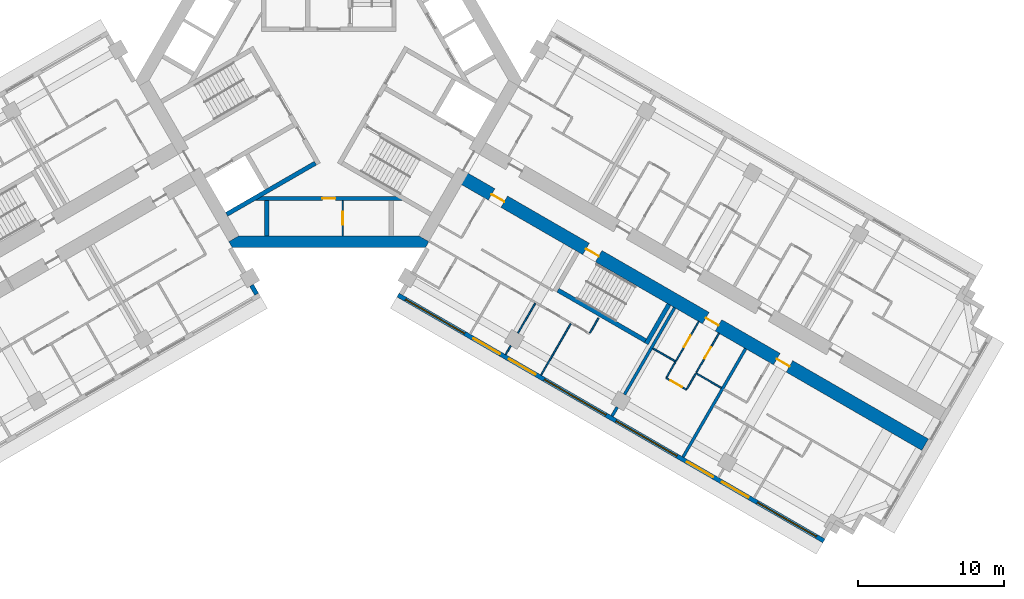
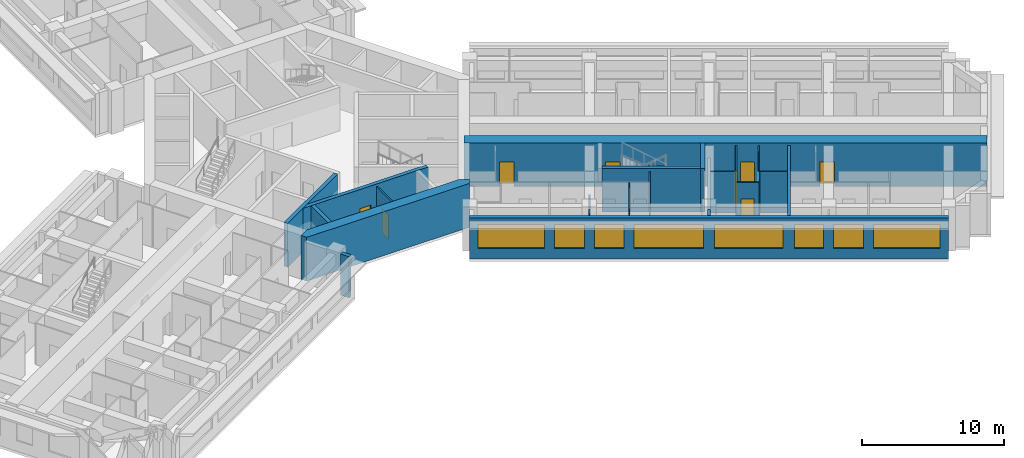
# One storey, part 5 of 14: 24 walls, 9 doors, 8 windows, 17 openings.
"""IFC4 building model written with IfcOpenShell, lengths in metres."""

from ifc_helpers import new_model, si_unit, direction, frame, frame_2d, origin, place, context, subcontext, project, spatial, polyline, rectangle, outline, extrude, material, layer, layer_set, type_object, element, fill, save


model = new_model("IFC4")

# Units and contexts
model_context = context("Model", 3, precision=1e-05, world=origin(), true_north=direction((0.0, 1.0)))
body_context = subcontext(model_context, "Body", "Model", "MODEL_VIEW")
ifc_project = project(units=[si_unit("LENGTHUNIT", "METRE"), si_unit("AREAUNIT", "SQUARE_METRE"), si_unit("VOLUMEUNIT", "CUBIC_METRE"), si_unit("PLANEANGLEUNIT", "RADIAN"), si_unit("MASSUNIT", "GRAM", prefix="KILO")], contexts=[model_context])

# Site, building, storey
site_placement = place(None, origin())
site = spatial("IfcSite", under=ifc_project, at=site_placement, CompositionType="ELEMENT")
building_placement = place(site_placement, origin())
building = spatial("IfcBuilding", under=site, at=building_placement, Name="Impinga Residences", CompositionType="ELEMENT")
storey_placement = place(building_placement, frame((0.0, 0.0, 143.5)))
storey = spatial("IfcBuildingStorey", under=building, at=storey_placement, Name="L35", CompositionType="ELEMENT", Elevation=143.5)

# Wall, openings, doors
ifc_material_1 = material(Name="Concrete C60/75", Category="concrete")
ifc_layer_1 = layer(ifc_material_1, 0.89990234375)
ifc_layer_set_1 = layer_set([ifc_layer_1], Name="Concrete C60/75")
wall_type_1 = type_object("IfcWallType", Name="BW2 corridor buttress wall, L24 to L44 900", PredefinedType="SHEAR", material=ifc_layer_set_1)
wall_1_placement = place(storey_placement, frame((8.95361328125, -6.554931640625, 0.0), z_axis=(0.0, 0.0, 1.0), x_axis=(0.866024733898, -0.500001160275, 0.0)))
wall_1 = element("IfcWall", 1, at=wall_1_placement, inside=storey, type_object=wall_type_1, Name="Corridor wall BW2 ED L35", PredefinedType="SHEAR", context=body_context, shape_type="SweptSolid", body=[
    extrude(rectangle(XDim=36.7001953125, YDim=0.89990234375, at=frame_2d((18.35009765625, 0.0))), origin(), (0.0, 0.0, 1.0), 3.75),
])
opening_1_placement = place(wall_1_placement, frame((9.949951171875, 0.0, 0.0)))
opening_1 = element("IfcOpeningElement", 2, at=opening_1_placement, cuts=wall_1, Name="Opening D5", PredefinedType="OPENING", context=body_context, shape_type="SweptSolid", body=[
    extrude(rectangle(XDim=1.0, YDim=2.10009765625, at=frame_2d((0.5, 1.050048828125))), frame((0.0, 0.4599609375, 0.0), z_axis=(0.0, -1.0, 0.0), x_axis=(1.0, 0.0, 0.0)), (0.0, 0.0, 1.0), 0.919921875),
])
opening_2_placement = place(wall_1_placement, frame((2.5, 0.0, 0.0)))
opening_2 = element("IfcOpeningElement", 3, at=opening_2_placement, cuts=wall_1, Name="Opening D1", PredefinedType="OPENING", context=body_context, shape_type="SweptSolid", body=[
    extrude(rectangle(XDim=1.0, YDim=2.10009765625, at=frame_2d((0.5, 1.050048828125))), frame((0.0, 0.4599609375, 0.0), z_axis=(0.0, -1.0, 0.0), x_axis=(1.0, 0.0, 0.0)), (0.0, 0.0, 1.0), 0.919921875),
])
opening_3_placement = place(wall_1_placement, frame((19.39990234375, 0.0, 0.0)))
opening_3 = element("IfcOpeningElement", 4, at=opening_3_placement, cuts=wall_1, Name="Opening D1", PredefinedType="OPENING", context=body_context, shape_type="SweptSolid", body=[
    extrude(rectangle(XDim=1.0, YDim=2.10009765625, at=frame_2d((0.5, 1.050048828125))), frame((0.0, 0.4599609375, 0.0), z_axis=(0.0, -1.0, 0.0), x_axis=(1.0, 0.0, 0.0)), (0.0, 0.0, 1.0), 0.919921875),
])
opening_4_placement = place(wall_1_placement, frame((25.0, 0.0, 0.0)))
opening_4 = element("IfcOpeningElement", 5, at=opening_4_placement, cuts=wall_1, Name="Opening D1", PredefinedType="OPENING", context=body_context, shape_type="SweptSolid", body=[
    extrude(rectangle(XDim=1.0, YDim=2.10009765625, at=frame_2d((0.5, 1.050048828125))), frame((0.0, 0.4599609375, 0.0), z_axis=(0.0, -1.0, 0.0), x_axis=(1.0, 0.0, 0.0)), (0.0, 0.0, 1.0), 0.919921875),
])
ifc_material_2 = material(Name="Timber door set", Category="wood")
door_type_1 = type_object("IfcDoorType", Name="D1 apartment entrance door 1000x2100", OperationType="SINGLE_SWING_LEFT", PredefinedType="DOOR", material=ifc_material_2)
door_1_placement = place(opening_2_placement, origin())
door_1 = element("IfcDoor", 6, at=door_1_placement, inside=storey, type_object=door_type_1, Name="Apartment L35-EF1 entrance", OperationType="SINGLE_SWING_LEFT", OverallHeight=2.10009765625, OverallWidth=1.0, PredefinedType="DOOR", context=body_context, shape_type="SweptSolid", body=[
    extrude(rectangle(XDim=1.0, YDim=2.10009765625, at=frame_2d((0.5, 1.050048828125))), frame((0.0, 0.02490234375, 0.0), z_axis=(0.0, -1.0, 0.0), x_axis=(1.0, 0.0, 0.0)), (0.0, 0.0, 1.0), 0.050048828125),
])
fill(opening_2, door_1)
door_2_placement = place(opening_3_placement, origin())
door_2 = element("IfcDoor", 7, at=door_2_placement, inside=storey, type_object=door_type_1, Name="Apartment L35-EF2 entrance", OperationType="SINGLE_SWING_RIGHT", OverallHeight=2.10009765625, OverallWidth=1.0, PredefinedType="DOOR", context=body_context, shape_type="SweptSolid", body=[
    extrude(rectangle(XDim=1.0, YDim=2.10009765625, at=frame_2d((0.5, 1.050048828125))), frame((0.0, 0.02490234375, 0.0), z_axis=(0.0, -1.0, 0.0), x_axis=(1.0, 0.0, 0.0)), (0.0, 0.0, 1.0), 0.050048828125),
])
fill(opening_3, door_2)
door_3_placement = place(opening_4_placement, origin())
door_3 = element("IfcDoor", 8, at=door_3_placement, inside=storey, type_object=door_type_1, Name="Apartment L35-EF3 entrance", OperationType="SINGLE_SWING_RIGHT", OverallHeight=2.10009765625, OverallWidth=1.0, PredefinedType="DOOR", context=body_context, shape_type="SweptSolid", body=[
    extrude(rectangle(XDim=1.0, YDim=2.10009765625, at=frame_2d((0.5, 1.050048828125))), frame((0.0, 0.02490234375, 0.0), z_axis=(0.0, -1.0, 0.0), x_axis=(1.0, 0.0, 0.0)), (0.0, 0.0, 1.0), 0.050048828125),
])
fill(opening_4, door_3)
door_type_2 = type_object("IfcDoorType", Name="D5 stair door 1000x2100", OperationType="SINGLE_SWING_LEFT", PredefinedType="DOOR", material=ifc_material_2)
door_4_placement = place(opening_1_placement, origin())
door_4 = element("IfcDoor", 9, at=door_4_placement, inside=storey, type_object=door_type_2, Name="Wing stair door E", OperationType="SINGLE_SWING_LEFT", OverallHeight=2.10009765625, OverallWidth=1.0, PredefinedType="DOOR", context=body_context, shape_type="SweptSolid", body=[
    extrude(rectangle(XDim=1.0, YDim=2.10009765625, at=frame_2d((0.5, 1.050048828125))), frame((0.0, 0.02490234375, 0.0), z_axis=(0.0, -1.0, 0.0), x_axis=(1.0, 0.0, 0.0)), (0.0, 0.0, 1.0), 0.050048828125),
])
fill(opening_1, door_4)

# Wall, opening, door
ifc_material_3 = material(Name="Concrete blockwork", Category="masonry")
ifc_layer_2 = layer(ifc_material_3, 0.10009765625)
ifc_layer_set_2 = layer_set([ifc_layer_2], Name="CP1 core room partition, blockwork 100")
wall_type_2 = type_object("IfcWallType", Name="CP1 core room partition, blockwork 100", PredefinedType="PARTITIONING", material=ifc_layer_set_2)
wall_2_placement = place(storey_placement, frame((0.949951171875, -8.2314453125, 0.0), z_axis=(0.0, 0.0, 1.0), x_axis=(0.0, -1.0, 0.0)))
wall_2 = element("IfcWall", 10, at=wall_2_placement, inside=storey, type_object=wall_type_2, Name="Core room partition, blockwork L35:CORE:low:ZP1", PredefinedType="PARTITIONING", context=body_context, shape_type="SweptSolid", body=[
    extrude(rectangle(XDim=2.400146484375, YDim=0.10009765625, at=frame_2d((1.2001953125, 0.0))), origin(), (0.0, 0.0, 1.0), 3.530029296875),
])
opening_5_placement = place(wall_2_placement, frame((0.75, 0.0, 0.0)))
opening_5 = element("IfcOpeningElement", 11, at=opening_5_placement, cuts=wall_2, Name="Opening D6", PredefinedType="OPENING", context=body_context, shape_type="SweptSolid", body=[
    extrude(rectangle(XDim=0.89990234375, YDim=2.10009765625, at=frame_2d((0.449951171875, 1.050048828125))), frame((0.0, 0.06005859375, 0.0), z_axis=(0.0, -1.0, 0.0), x_axis=(1.0, 0.0, 0.0)), (0.0, 0.0, 1.0), 0.1201171875),
])
door_type_3 = type_object("IfcDoorType", Name="D6 riser and store door 900x2100", OperationType="SINGLE_SWING_LEFT", PredefinedType="DOOR", material=ifc_material_2)
door_5_placement = place(opening_5_placement, origin())
door_5 = element("IfcDoor", 12, at=door_5_placement, inside=storey, type_object=door_type_3, Name="Cleaners' store door", OperationType="SINGLE_SWING_LEFT", OverallHeight=2.10009765625, OverallWidth=0.89990234375, PredefinedType="DOOR", context=body_context, shape_type="SweptSolid", body=[
    extrude(rectangle(XDim=0.89990234375, YDim=2.10009765625, at=frame_2d((0.449951171875, 1.050048828125))), frame((0.0, 0.02490234375, 0.0), z_axis=(0.0, -1.0, 0.0), x_axis=(1.0, 0.0, 0.0)), (0.0, 0.0, 1.0), 0.050048828125),
])
fill(opening_5, door_5)

# Wall, openings, windows
ifc_material_4 = material(Name="Terracotta rainscreen on blockwork", Category="masonry")
ifc_layer_3 = layer(ifc_material_4, 0.300048828125)
ifc_layer_set_3 = layer_set([ifc_layer_3], Name="EW1 external wall, terracotta rainscreen on blockwork 300")
wall_type_3 = type_object("IfcWallType", Name="EW1 external wall, terracotta rainscreen on blockwork 300", PredefinedType="SOLIDWALL", material=ifc_layer_set_3)
wall_3_placement = place(storey_placement, frame((33.823486328125, -31.479248046875, 0.0), z_axis=(0.0, 0.0, 1.0), x_axis=(-0.866024291668, 0.500001926238, 0.0)))
wall_3 = element("IfcWall", 13, at=wall_3_placement, inside=storey, type_object=wall_type_3, Name="External wall EW1 L35", PredefinedType="SOLIDWALL", context=body_context, shape_type="SweptSolid", body=[
    extrude(rectangle(XDim=33.599853515625, YDim=0.300048828125, at=frame_2d((16.7998046875, 0.0))), origin(), (0.0, 0.0, 1.0), 3.530029296875),
])
opening_6_placement = place(wall_3_placement, frame((0.60009765625, 0.0, 0.89990234375)))
opening_6 = element("IfcOpeningElement", 14, at=opening_6_placement, cuts=wall_3, Name="Opening W10", PredefinedType="OPENING", context=body_context, shape_type="SweptSolid", body=[
    extrude(rectangle(XDim=4.64990234375, YDim=2.050048828125, at=frame_2d((2.324951171875, 1.02490234375))), frame((0.0, 0.159912109375, 0.0), z_axis=(0.0, -1.0, 0.0), x_axis=(1.0, 0.0, 0.0)), (0.0, 0.0, 1.0), 0.320068359375),
])
opening_7_placement = place(wall_3_placement, frame((5.949951171875, 0.0, 0.89990234375)))
opening_7 = element("IfcOpeningElement", 15, at=opening_7_placement, cuts=wall_3, Name="Opening W9", PredefinedType="OPENING", context=body_context, shape_type="SweptSolid", body=[
    extrude(rectangle(XDim=2.10009765625, YDim=2.050048828125, at=frame_2d((1.050048828125, 1.02490234375))), frame((0.0, 0.159912109375, 0.0), z_axis=(0.0, -1.0, 0.0), x_axis=(1.0, 0.0, 0.0)), (0.0, 0.0, 1.0), 0.320068359375),
])
opening_8_placement = place(wall_3_placement, frame((8.75, 0.0, 0.89990234375)))
opening_8 = element("IfcOpeningElement", 16, at=opening_8_placement, cuts=wall_3, Name="Opening W14", PredefinedType="OPENING", context=body_context, shape_type="SweptSolid", body=[
    extrude(rectangle(XDim=2.050048828125, YDim=2.050048828125, at=frame_2d((1.02490234375, 1.02490234375))), frame((0.0, 0.159912109375, 0.0), z_axis=(0.0, -1.0, 0.0), x_axis=(1.0, 0.0, 0.0)), (0.0, 0.0, 1.0), 0.320068359375),
])
opening_9_placement = place(wall_3_placement, frame((11.60009765625, 0.0, 0.89990234375)))
opening_9 = element("IfcOpeningElement", 17, at=opening_9_placement, cuts=wall_3, Name="Opening W8", PredefinedType="OPENING", context=body_context, shape_type="SweptSolid", body=[
    extrude(rectangle(XDim=4.800048828125, YDim=2.050048828125, at=frame_2d((2.39990234375, 1.02490234375))), frame((0.0, 0.159912109375, 0.0), z_axis=(0.0, -1.0, 0.0), x_axis=(1.0, 0.0, 0.0)), (0.0, 0.0, 1.0), 0.320068359375),
])
opening_10_placement = place(wall_3_placement, frame((17.199951171875, 0.0, 0.89990234375)))
opening_10 = element("IfcOpeningElement", 18, at=opening_10_placement, cuts=wall_3, Name="Opening W6", PredefinedType="OPENING", context=body_context, shape_type="SweptSolid", body=[
    extrude(rectangle(XDim=4.85009765625, YDim=2.050048828125, at=frame_2d((2.425048828125, 1.02490234375))), frame((0.0, 0.159912109375, 0.0), z_axis=(0.0, -1.0, 0.0), x_axis=(1.0, 0.0, 0.0)), (0.0, 0.0, 1.0), 0.320068359375),
])
opening_11_placement = place(wall_3_placement, frame((22.75, 0.0, 0.89990234375)))
opening_11 = element("IfcOpeningElement", 19, at=opening_11_placement, cuts=wall_3, Name="Opening W9", PredefinedType="OPENING", context=body_context, shape_type="SweptSolid", body=[
    extrude(rectangle(XDim=2.10009765625, YDim=2.050048828125, at=frame_2d((1.050048828125, 1.02490234375))), frame((0.0, 0.159912109375, 0.0), z_axis=(0.0, -1.0, 0.0), x_axis=(1.0, 0.0, 0.0)), (0.0, 0.0, 1.0), 0.320068359375),
])
opening_12_placement = place(wall_3_placement, frame((25.550048828125, 0.0, 0.89990234375)))
opening_12 = element("IfcOpeningElement", 20, at=opening_12_placement, cuts=wall_3, Name="Opening W9", PredefinedType="OPENING", context=body_context, shape_type="SweptSolid", body=[
    extrude(rectangle(XDim=2.10009765625, YDim=2.050048828125, at=frame_2d((1.050048828125, 1.02490234375))), frame((0.0, 0.159912109375, 0.0), z_axis=(0.0, -1.0, 0.0), x_axis=(1.0, 0.0, 0.0)), (0.0, 0.0, 1.0), 0.320068359375),
])
opening_13_placement = place(wall_3_placement, frame((28.35009765625, 0.0, 0.89990234375)))
opening_13 = element("IfcOpeningElement", 21, at=opening_13_placement, cuts=wall_3, Name="Opening W10", PredefinedType="OPENING", context=body_context, shape_type="SweptSolid", body=[
    extrude(rectangle(XDim=4.64990234375, YDim=2.050048828125, at=frame_2d((2.324951171875, 1.02490234375))), frame((0.0, 0.159912109375, 0.0), z_axis=(0.0, -1.0, 0.0), x_axis=(1.0, 0.0, 0.0)), (0.0, 0.0, 1.0), 0.320068359375),
])
ifc_material_5 = material(Name="Aluminium window, clear double glazing", Category="aluminium")
window_type_1 = type_object("IfcWindowType", Name="W10 ribbon window 4650x2050", PartitioningType="SINGLE_PANEL", PredefinedType="WINDOW", material=ifc_material_5)
window_1_placement = place(opening_6_placement, origin())
window_1 = element("IfcWindow", 22, at=window_1_placement, inside=storey, type_object=window_type_1, Name="Window L35", OverallHeight=2.050048828125, OverallWidth=4.64990234375, PartitioningType="SINGLE_PANEL", PredefinedType="WINDOW", context=body_context, shape_type="SweptSolid", body=[
    extrude(rectangle(XDim=4.64990234375, YDim=2.050048828125, at=frame_2d((2.324951171875, 1.02490234375))), frame((0.0, 0.030029296875, 0.0), z_axis=(0.0, -1.0, 0.0), x_axis=(1.0, 0.0, 0.0)), (0.0, 0.0, 1.0), 0.06005859375),
])
fill(opening_6, window_1)
window_2_placement = place(opening_13_placement, origin())
window_2 = element("IfcWindow", 23, at=window_2_placement, inside=storey, type_object=window_type_1, Name="Window L35", OverallHeight=2.050048828125, OverallWidth=4.64990234375, PartitioningType="SINGLE_PANEL", PredefinedType="WINDOW", context=body_context, shape_type="SweptSolid", body=[
    extrude(rectangle(XDim=4.64990234375, YDim=2.050048828125, at=frame_2d((2.324951171875, 1.02490234375))), frame((0.0, 0.030029296875, 0.0), z_axis=(0.0, -1.0, 0.0), x_axis=(1.0, 0.0, 0.0)), (0.0, 0.0, 1.0), 0.06005859375),
])
fill(opening_13, window_2)
window_type_2 = type_object("IfcWindowType", Name="W14 ribbon window 2050x2050", PartitioningType="SINGLE_PANEL", PredefinedType="WINDOW", material=ifc_material_5)
window_3_placement = place(opening_8_placement, origin())
window_3 = element("IfcWindow", 24, at=window_3_placement, inside=storey, type_object=window_type_2, Name="Window L35", OverallHeight=2.050048828125, OverallWidth=2.050048828125, PartitioningType="SINGLE_PANEL", PredefinedType="WINDOW", context=body_context, shape_type="SweptSolid", body=[
    extrude(rectangle(XDim=2.050048828125, YDim=2.050048828125, at=frame_2d((1.02490234375, 1.02490234375))), frame((0.0, 0.030029296875, 0.0), z_axis=(0.0, -1.0, 0.0), x_axis=(1.0, 0.0, 0.0)), (0.0, 0.0, 1.0), 0.06005859375),
])
fill(opening_8, window_3)
window_type_3 = type_object("IfcWindowType", Name="W6 ribbon window 4850x2050", PartitioningType="SINGLE_PANEL", PredefinedType="WINDOW", material=ifc_material_5)
window_4_placement = place(opening_10_placement, origin())
window_4 = element("IfcWindow", 25, at=window_4_placement, inside=storey, type_object=window_type_3, Name="Window L35", OverallHeight=2.050048828125, OverallWidth=4.85009765625, PartitioningType="SINGLE_PANEL", PredefinedType="WINDOW", context=body_context, shape_type="SweptSolid", body=[
    extrude(rectangle(XDim=4.85009765625, YDim=2.050048828125, at=frame_2d((2.425048828125, 1.02490234375))), frame((0.0, 0.030029296875, 0.0), z_axis=(0.0, -1.0, 0.0), x_axis=(1.0, 0.0, 0.0)), (0.0, 0.0, 1.0), 0.06005859375),
])
fill(opening_10, window_4)
window_type_4 = type_object("IfcWindowType", Name="W8 ribbon window 4800x2050", PartitioningType="SINGLE_PANEL", PredefinedType="WINDOW", material=ifc_material_5)
window_5_placement = place(opening_9_placement, origin())
window_5 = element("IfcWindow", 26, at=window_5_placement, inside=storey, type_object=window_type_4, Name="Window L35", OverallHeight=2.050048828125, OverallWidth=4.800048828125, PartitioningType="SINGLE_PANEL", PredefinedType="WINDOW", context=body_context, shape_type="SweptSolid", body=[
    extrude(rectangle(XDim=4.800048828125, YDim=2.050048828125, at=frame_2d((2.39990234375, 1.02490234375))), frame((0.0, 0.030029296875, 0.0), z_axis=(0.0, -1.0, 0.0), x_axis=(1.0, 0.0, 0.0)), (0.0, 0.0, 1.0), 0.06005859375),
])
fill(opening_9, window_5)
window_type_5 = type_object("IfcWindowType", Name="W9 ribbon window 2100x2050", PartitioningType="SINGLE_PANEL", PredefinedType="WINDOW", material=ifc_material_5)
window_6_placement = place(opening_7_placement, origin())
window_6 = element("IfcWindow", 27, at=window_6_placement, inside=storey, type_object=window_type_5, Name="Window L35", OverallHeight=2.050048828125, OverallWidth=2.10009765625, PartitioningType="SINGLE_PANEL", PredefinedType="WINDOW", context=body_context, shape_type="SweptSolid", body=[
    extrude(rectangle(XDim=2.10009765625, YDim=2.050048828125, at=frame_2d((1.050048828125, 1.02490234375))), frame((0.0, 0.030029296875, 0.0), z_axis=(0.0, -1.0, 0.0), x_axis=(1.0, 0.0, 0.0)), (0.0, 0.0, 1.0), 0.06005859375),
])
fill(opening_7, window_6)
window_7_placement = place(opening_11_placement, origin())
window_7 = element("IfcWindow", 28, at=window_7_placement, inside=storey, type_object=window_type_5, Name="Window L35", OverallHeight=2.050048828125, OverallWidth=2.10009765625, PartitioningType="SINGLE_PANEL", PredefinedType="WINDOW", context=body_context, shape_type="SweptSolid", body=[
    extrude(rectangle(XDim=2.10009765625, YDim=2.050048828125, at=frame_2d((1.050048828125, 1.02490234375))), frame((0.0, 0.030029296875, 0.0), z_axis=(0.0, -1.0, 0.0), x_axis=(1.0, 0.0, 0.0)), (0.0, 0.0, 1.0), 0.06005859375),
])
fill(opening_11, window_7)
window_8_placement = place(opening_12_placement, origin())
window_8 = element("IfcWindow", 29, at=window_8_placement, inside=storey, type_object=window_type_5, Name="Window L35", OverallHeight=2.050048828125, OverallWidth=2.10009765625, PartitioningType="SINGLE_PANEL", PredefinedType="WINDOW", context=body_context, shape_type="SweptSolid", body=[
    extrude(rectangle(XDim=2.10009765625, YDim=2.050048828125, at=frame_2d((1.050048828125, 1.02490234375))), frame((0.0, 0.030029296875, 0.0), z_axis=(0.0, -1.0, 0.0), x_axis=(1.0, 0.0, 0.0)), (0.0, 0.0, 1.0), 0.06005859375),
])
fill(opening_12, window_8)

# Walls
wall_4_placement = place(storey_placement, frame((-5.27978515625, -14.01806640625, 0.0), z_axis=(0.0, 0.0, 1.0), x_axis=(0.499853302173, -0.866110083249, 0.0)))
element("IfcWall", 30, at=wall_4_placement, inside=storey, type_object=wall_type_3, Name="External wall EW1 L35", PredefinedType="SOLIDWALL", context=body_context, shape_type="SweptSolid", body=[
    extrude(rectangle(XDim=0.699951171875, YDim=0.300048828125, at=frame_2d((0.35009765625, 0.0))), origin(), (0.0, 0.0, 1.0), 3.530029296875),
])
ifc_material_6 = material(Name="Gypsum board on steel studs", Category="steel")
ifc_layer_4 = layer(ifc_material_6, 0.10009765625)
ifc_layer_set_4 = layer_set([ifc_layer_4], Name="Gypsum board on steel studs")
wall_type_4 = type_object("IfcWallType", Name="IP1 partition 100", PredefinedType="PARTITIONING", material=ifc_layer_set_4)
wall_5_placement = place(storey_placement, frame((18.43017578125, -16.240966796875, 0.0), z_axis=(0.0, 0.0, 1.0), x_axis=(-0.499880961361, -0.866094119867, 0.0)))
element("IfcWall", 31, at=wall_5_placement, inside=storey, type_object=wall_type_4, Name="Partition L35-EF1:SE1", PredefinedType="PARTITIONING", context=body_context, shape_type="SweptSolid", body=[
    extrude(rectangle(XDim=1.199951171875, YDim=0.10009765625, at=frame_2d((0.60009765625, 0.0))), origin(), (0.0, 0.0, 1.0), 3.530029296875),
])
wall_6_placement = place(storey_placement, frame((14.099609375, -15.241943359375, 0.0), z_axis=(0.0, 0.0, 1.0), x_axis=(-0.500016218704, -0.866016039709, 0.0)))
element("IfcWall", 32, at=wall_6_placement, inside=storey, type_object=wall_type_4, Name="Partition L35-EF1:OB2", PredefinedType="PARTITIONING", context=body_context, shape_type="SweptSolid", body=[
    extrude(rectangle(XDim=2.35009765625, YDim=0.10009765625, at=frame_2d((1.175048828125, 0.0))), origin(), (0.0, 0.0, 1.0), 2.47998046875),
])
wall_7_placement = place(storey_placement, frame((12.424560546875, -18.14306640625, 0.0), z_axis=(0.0, 0.0, 1.0), x_axis=(-0.499853302173, -0.866110083249, 0.0)))
element("IfcWall", 33, at=wall_7_placement, inside=storey, type_object=wall_type_4, Name="Partition L35-EF1:OB2b", PredefinedType="PARTITIONING", context=body_context, shape_type="SweptSolid", body=[
    extrude(rectangle(XDim=0.699951171875, YDim=0.10009765625, at=frame_2d((0.35009765625, 0.0))), origin(), (0.0, 0.0, 1.0), 3.530029296875),
])
wall_8_placement = place(storey_placement, frame((16.5244140625, -16.641845703125, 0.0), z_axis=(0.0, 0.0, 1.0), x_axis=(-0.499990325971, -0.866030989016, 0.0)))
element("IfcWall", 34, at=wall_8_placement, inside=storey, type_object=wall_type_4, Name="Partition L35-EF1:OB3", PredefinedType="PARTITIONING", context=body_context, shape_type="SweptSolid", body=[
    extrude(rectangle(XDim=4.0498046875, YDim=0.10009765625, at=frame_2d((2.02490234375, 0.0))), origin(), (0.0, 0.0, 1.0), 3.530029296875),
])
wall_9_placement = place(storey_placement, frame((22.1357421875, -18.32275390625, 0.0), z_axis=(0.0, 0.0, 1.0), x_axis=(0.866047807691, -0.499961193289, 0.0)))
element("IfcWall", 35, at=wall_9_placement, inside=storey, type_object=wall_type_4, Name="Partition L35-EF2:DIV0", PredefinedType="PARTITIONING", context=body_context, shape_type="SweptSolid", body=[
    extrude(rectangle(XDim=1.800048828125, YDim=0.10009765625, at=frame_2d((0.89990234375, 0.0))), origin(), (0.0, 0.0, 1.0), 3.530029296875),
])
wall_10_placement = place(storey_placement, frame((25.080322265625, -20.022705078125, 0.0), z_axis=(0.0, 0.0, 1.0), x_axis=(0.866010750942, -0.50002537861, 0.0)))
element("IfcWall", 36, at=wall_10_placement, inside=storey, type_object=wall_type_4, Name="Partition L35-EF2:DIV1", PredefinedType="PARTITIONING", context=body_context, shape_type="SweptSolid", body=[
    extrude(rectangle(XDim=2.0, YDim=0.10009765625, at=frame_2d((1.0, 0.0))), origin(), (0.0, 0.0, 1.0), 3.530029296875),
])

# Wall, opening, door
wall_11_placement = place(storey_placement, frame((23.044677734375, -20.3486328125, 0.0), z_axis=(0.0, 0.0, 1.0), x_axis=(0.866094119867, -0.499880961361, 0.0)))
wall_11 = element("IfcWall", 37, at=wall_11_placement, inside=storey, type_object=wall_type_4, Name="Partition L35-EF2:STRIP", PredefinedType="PARTITIONING", context=body_context, shape_type="SweptSolid", body=[
    extrude(rectangle(XDim=1.60009765625, YDim=0.10009765625, at=frame_2d((0.800048828125, 0.0))), origin(), (0.0, 0.0, 1.0), 3.530029296875),
])
opening_14_placement = place(wall_11_placement, frame((0.35009765625, 0.0, 0.0)))
opening_14 = element("IfcOpeningElement", 38, at=opening_14_placement, cuts=wall_11, Name="Opening D2", PredefinedType="OPENING", context=body_context, shape_type="SweptSolid", body=[
    extrude(rectangle(XDim=0.89990234375, YDim=2.10009765625, at=frame_2d((0.449951171875, 1.050048828125))), frame((0.0, 0.06005859375, 0.0), z_axis=(0.0, -1.0, 0.0), x_axis=(1.0, 0.0, 0.0)), (0.0, 0.0, 1.0), 0.1201171875),
])
door_type_4 = type_object("IfcDoorType", Name="D2 internal door 900x2100", OperationType="SINGLE_SWING_LEFT", PredefinedType="DOOR", material=ifc_material_2)
door_6_placement = place(opening_14_placement, origin())
door_6 = element("IfcDoor", 39, at=door_6_placement, inside=storey, type_object=door_type_4, Name="Apartment L35-EF2 room door", OperationType="SINGLE_SWING_LEFT", OverallHeight=2.10009765625, OverallWidth=0.89990234375, PredefinedType="DOOR", context=body_context, shape_type="SweptSolid", body=[
    extrude(rectangle(XDim=0.89990234375, YDim=2.10009765625, at=frame_2d((0.449951171875, 1.050048828125))), frame((0.0, 0.02490234375, 0.0), z_axis=(0.0, -1.0, 0.0), x_axis=(1.0, 0.0, 0.0)), (0.0, 0.0, 1.0), 0.050048828125),
])
fill(opening_14, door_6)

# Walls
for number, where, z_axis, x_axis, name in (
    (40, (23.669677734375, -19.265869140625, 0.0), (0.0, 0.0, 1.0), (-0.500033551112, -0.866006032174, 0.0), "Partition L35-EF2:SE0"),
    (41, (25.055419921875, -20.06591796875, 0.0), (0.0, 0.0, 1.0), (-0.500033551112, -0.866006032174, 0.0), "Partition L35-EF2:SE1"),
):
    element("IfcWall", number, at=place(storey_placement, frame(where, z_axis=z_axis, x_axis=x_axis)), inside=storey, type_object=wall_type_4, Name=name, PredefinedType="PARTITIONING", context=body_context, shape_type="SweptSolid", body=[
        extrude(rectangle(XDim=1.2001953125, YDim=0.10009765625, at=frame_2d((0.60009765625, 0.0))), origin(), (0.0, 0.0, 1.0), 3.530029296875),
    ])

# Wall, opening, door
wall_12_placement = place(storey_placement, frame((25.269775390625, -16.49462890625, 0.0), z_axis=(0.0, 0.0, 1.0), x_axis=(-0.49999285859, -0.86602952684, 0.0)))
wall_12 = element("IfcWall", 42, at=wall_12_placement, inside=storey, type_object=wall_type_4, Name="Partition L35-EF2:IB1", PredefinedType="PARTITIONING", context=body_context, shape_type="SweptSolid", body=[
    extrude(rectangle(XDim=3.10009765625, YDim=0.10009765625, at=frame_2d((1.550048828125, 0.0))), origin(), (0.0, 0.0, 1.0), 3.530029296875),
])
opening_15_placement = place(wall_12_placement, frame((1.10009765625, 0.0, 0.0)))
opening_15 = element("IfcOpeningElement", 43, at=opening_15_placement, cuts=wall_12, Name="Opening D2", PredefinedType="OPENING", context=body_context, shape_type="SweptSolid", body=[
    extrude(rectangle(XDim=0.89990234375, YDim=2.10009765625, at=frame_2d((0.449951171875, 1.050048828125))), frame((0.0, 0.06005859375, 0.0), z_axis=(0.0, -1.0, 0.0), x_axis=(1.0, 0.0, 0.0)), (0.0, 0.0, 1.0), 0.1201171875),
])
door_7_placement = place(opening_15_placement, origin())
door_7 = element("IfcDoor", 44, at=door_7_placement, inside=storey, type_object=door_type_4, Name="Apartment L35-EF2 bathroom door", OperationType="SINGLE_SWING_LEFT", OverallHeight=2.10009765625, OverallWidth=0.89990234375, PredefinedType="DOOR", context=body_context, shape_type="SweptSolid", body=[
    extrude(rectangle(XDim=0.89990234375, YDim=2.10009765625, at=frame_2d((0.449951171875, 1.050048828125))), frame((0.0, 0.02490234375, 0.0), z_axis=(0.0, -1.0, 0.0), x_axis=(1.0, 0.0, 0.0)), (0.0, 0.0, 1.0), 0.050048828125),
])
fill(opening_15, door_7)

wall_13_placement = place(storey_placement, frame((26.6552734375, -17.294677734375, 0.0), z_axis=(0.0, 0.0, 1.0), x_axis=(-0.49999285859, -0.86602952684, 0.0)))
wall_13 = element("IfcWall", 45, at=wall_13_placement, inside=storey, type_object=wall_type_4, Name="Partition L35-EF2:IB2", PredefinedType="PARTITIONING", context=body_context, shape_type="SweptSolid", body=[
    extrude(rectangle(XDim=3.10009765625, YDim=0.10009765625, at=frame_2d((1.550048828125, 0.0))), origin(), (0.0, 0.0, 1.0), 3.530029296875),
])
opening_16_placement = place(wall_13_placement, frame((1.10009765625, 0.0, 0.0)))
opening_16 = element("IfcOpeningElement", 46, at=opening_16_placement, cuts=wall_13, Name="Opening D2", PredefinedType="OPENING", context=body_context, shape_type="SweptSolid", body=[
    extrude(rectangle(XDim=0.89990234375, YDim=2.10009765625, at=frame_2d((0.449951171875, 1.050048828125))), frame((0.0, 0.06005859375, 0.0), z_axis=(0.0, -1.0, 0.0), x_axis=(1.0, 0.0, 0.0)), (0.0, 0.0, 1.0), 0.1201171875),
])
door_8_placement = place(opening_16_placement, origin())
door_8 = element("IfcDoor", 47, at=door_8_placement, inside=storey, type_object=door_type_4, Name="Apartment L35-EF2 WC door", OperationType="SINGLE_SWING_LEFT", OverallHeight=2.10009765625, OverallWidth=0.89990234375, PredefinedType="DOOR", context=body_context, shape_type="SweptSolid", body=[
    extrude(rectangle(XDim=0.89990234375, YDim=2.10009765625, at=frame_2d((0.449951171875, 1.050048828125))), frame((0.0, 0.02490234375, 0.0), z_axis=(0.0, -1.0, 0.0), x_axis=(1.0, 0.0, 0.0)), (0.0, 0.0, 1.0), 0.050048828125),
])
fill(opening_16, door_8)

# Walls
ifc_layer_5 = layer(ifc_material_3, 0.199951171875)
ifc_layer_set_5 = layer_set([ifc_layer_5], Name="PW1 party wall between apartments 200")
wall_type_5 = type_object("IfcWallType", Name="PW1 party wall between apartments 200", PredefinedType="SOLIDWALL", material=ifc_layer_set_5)
wall_14_placement = place(storey_placement, frame((23.624267578125, -15.544677734375, 0.0), z_axis=(0.0, 0.0, 1.0), x_axis=(-0.499999086063, -0.866025931445, 0.0)))
element("IfcWall", 48, at=wall_14_placement, inside=storey, type_object=wall_type_5, Name="Party wall between apartments L35-EF1:PARTY", PredefinedType="SOLIDWALL", context=body_context, shape_type="SweptSolid", body=[
    extrude(rectangle(XDim=6.85009765625, YDim=0.199951171875, at=frame_2d((3.425048828125, 0.0))), origin(), (0.0, 0.0, 1.0), 2.47998046875),
])
wall_15_placement = place(storey_placement, frame((19.69921875, -22.343017578125, 0.0), z_axis=(0.0, 0.0, 1.0), x_axis=(-0.500114896893, -0.865959057869, 0.0)))
element("IfcWall", 49, at=wall_15_placement, inside=storey, type_object=wall_type_5, Name="Party wall between apartments L35-EF1:PARTYb", PredefinedType="SOLIDWALL", context=body_context, shape_type="SweptSolid", body=[
    extrude(rectangle(XDim=0.699951171875, YDim=0.199951171875, at=frame_2d((0.35009765625, 0.0))), origin(), (0.0, 0.0, 1.0), 3.530029296875),
])
wall_16_placement = place(storey_placement, frame((28.473876953125, -18.3447265625, 0.0), z_axis=(0.0, 0.0, 1.0), x_axis=(-0.499990227581, -0.86603104582, 0.0)))
element("IfcWall", 50, at=wall_16_placement, inside=storey, type_object=wall_type_5, Name="Party wall between apartments L35-EF2:PARTY", PredefinedType="SOLIDWALL", context=body_context, shape_type="SweptSolid", body=[
    extrude(rectangle(XDim=8.550048828125, YDim=0.199951171875, at=frame_2d((4.27490234375, 0.0))), origin(), (0.0, 0.0, 1.0), 3.530029296875),
])
ifc_layer_6 = layer(ifc_material_1, 0.300048828125)
ifc_layer_set_6 = layer_set([ifc_layer_6], Name="Concrete C60/75")
wall_type_6 = type_object("IfcWallType", Name="SE1 wing stair enclosure wall 300", PredefinedType="SOLIDWALL", material=ifc_layer_set_6)
wall_17_placement = place(storey_placement, frame((23.234619140625, -15.31982421875, 0.0), z_axis=(0.0, 0.0, 1.0), x_axis=(-0.500026960575, -0.86600983753, 0.0)))
element("IfcWall", 51, at=wall_17_placement, inside=storey, type_object=wall_type_6, Name="Stair enclosure wall SE1 E END1 L35", PredefinedType="SOLIDWALL", context=body_context, shape_type="SweptSolid", body=[
    extrude(rectangle(XDim=3.099853515625, YDim=0.300048828125, at=frame_2d((1.5498046875, 0.0))), origin(), (0.0, 0.0, 1.0), 3.75),
])
wall_18_placement = place(storey_placement, frame((15.654052734375, -14.349365234375, 0.0), z_axis=(0.0, 0.0, 1.0), x_axis=(0.866013532718, -0.500020560727, 0.0)))
element("IfcWall", 52, at=wall_18_placement, inside=storey, type_object=wall_type_6, Name="Stair enclosure wall SE1 E OUT L35", PredefinedType="SOLIDWALL", context=body_context, shape_type="SweptSolid", body=[
    extrude(rectangle(XDim=6.900146484375, YDim=0.300048828125, at=frame_2d((3.4501953125, 0.0))), origin(), (0.0, 0.0, 1.0), 3.75),
])
ifc_layer_7 = layer(ifc_material_1, 0.800048828125)
ifc_layer_set_7 = layer_set([ifc_layer_7], Name="Concrete C60/75")
wall_type_7 = type_object("IfcWallType", Name="SW2 core wall 800", PredefinedType="SHEAR", material=ifc_layer_set_7)
wall_19_placement = place(storey_placement, origin())
element("IfcWall", 53, at=wall_19_placement, inside=storey, type_object=wall_type_7, Name="Core wall SW2 N:EXPOSED L35", PredefinedType="SHEAR", context=body_context, shape_type="SweptSolid", body=[
    extrude(outline(polyline([(-6.60009765625, -11.431640625), (6.60009765625, -11.431640625), (6.8310546875, -11.031494140625), (6.13818359375, -10.631591796875), (-6.13818359375, -10.631591796875), (-6.8310546875, -11.031494140625), (-6.60009765625, -11.431640625)])), origin(), (0.0, 0.0, 1.0), 3.75),
])
ifc_material_7 = material(Name="Concrete C70/85", Category="concrete")
ifc_layer_8 = layer(ifc_material_7, 0.300048828125)
ifc_layer_set_8 = layer_set([ifc_layer_8], Name="Concrete C70/85")
wall_type_8 = type_object("IfcWallType", Name="SW5 core inner wall, stairs, shafts and lobbies 300", PredefinedType="SHEAR", material=ifc_layer_set_8)
wall_20_placement = place(storey_placement, frame((-0.918701171875, -5.668701171875, 0.0), z_axis=(0.0, 0.0, 1.0), x_axis=(-0.866011380966, -0.500024287448, 0.0)))
element("IfcWall", 54, at=wall_20_placement, inside=storey, type_object=wall_type_8, Name="Core wall SW5 W:FF-OUT L35", PredefinedType="SHEAR", context=body_context, shape_type="SweptSolid", body=[
    extrude(rectangle(XDim=7.001708984375, YDim=0.300048828125, at=frame_2d((3.5009765625, 0.0))), origin(), (0.0, 0.0, 1.0), 3.75),
])

# Wall, opening, door
wall_21_placement = place(storey_placement, frame((5.09765625, -8.08154296875, 0.0), z_axis=(0.0, 0.0, 1.0), x_axis=(-1.0, 0.0, 0.0)))
wall_21 = element("IfcWall", 55, at=wall_21_placement, inside=storey, type_object=wall_type_8, Name="Core wall SW5 N:BANK-FRONT L35", PredefinedType="SHEAR", context=body_context, shape_type="SweptSolid", body=[
    extrude(rectangle(XDim=10.1953125, YDim=0.300048828125, at=frame_2d((5.09765625, 0.0))), origin(), (0.0, 0.0, 1.0), 3.75),
])
opening_17_placement = place(wall_21_placement, frame((4.647705078125, 0.0, 0.0)))
opening_17 = element("IfcOpeningElement", 56, at=opening_17_placement, cuts=wall_21, Name="Opening D6", PredefinedType="OPENING", context=body_context, shape_type="SweptSolid", body=[
    extrude(rectangle(XDim=0.89990234375, YDim=2.10009765625, at=frame_2d((0.449951171875, 1.050048828125))), frame((0.0, 0.159912109375, 0.0), z_axis=(0.0, -1.0, 0.0), x_axis=(1.0, 0.0, 0.0)), (0.0, 0.0, 1.0), 0.320068359375),
])
door_9_placement = place(opening_17_placement, origin())
door_9 = element("IfcDoor", 57, at=door_9_placement, inside=storey, type_object=door_type_3, Name="Vending and ice room door", OperationType="SINGLE_SWING_LEFT", OverallHeight=2.10009765625, OverallWidth=0.89990234375, PredefinedType="DOOR", context=body_context, shape_type="SweptSolid", body=[
    extrude(rectangle(XDim=0.89990234375, YDim=2.10009765625, at=frame_2d((0.449951171875, 1.050048828125))), frame((0.0, 0.02490234375, 0.0), z_axis=(0.0, -1.0, 0.0), x_axis=(1.0, 0.0, 0.0)), (0.0, 0.0, 1.0), 0.050048828125),
])
fill(opening_17, door_9)

# Wall
wall_22_placement = place(storey_placement, frame((-4.25, -8.2314453125, 0.0), z_axis=(0.0, 0.0, 1.0), x_axis=(0.0, -1.0, 0.0)))
element("IfcWall", 58, at=wall_22_placement, inside=storey, type_object=wall_type_8, Name="Core wall SW5 N:BANK-R L35", PredefinedType="SHEAR", context=body_context, shape_type="SweptSolid", body=[
    extrude(rectangle(XDim=2.400146484375, YDim=0.300048828125, at=frame_2d((1.2001953125, 0.0))), origin(), (0.0, 0.0, 1.0), 3.75),
])

save(model, "model.ifc")
